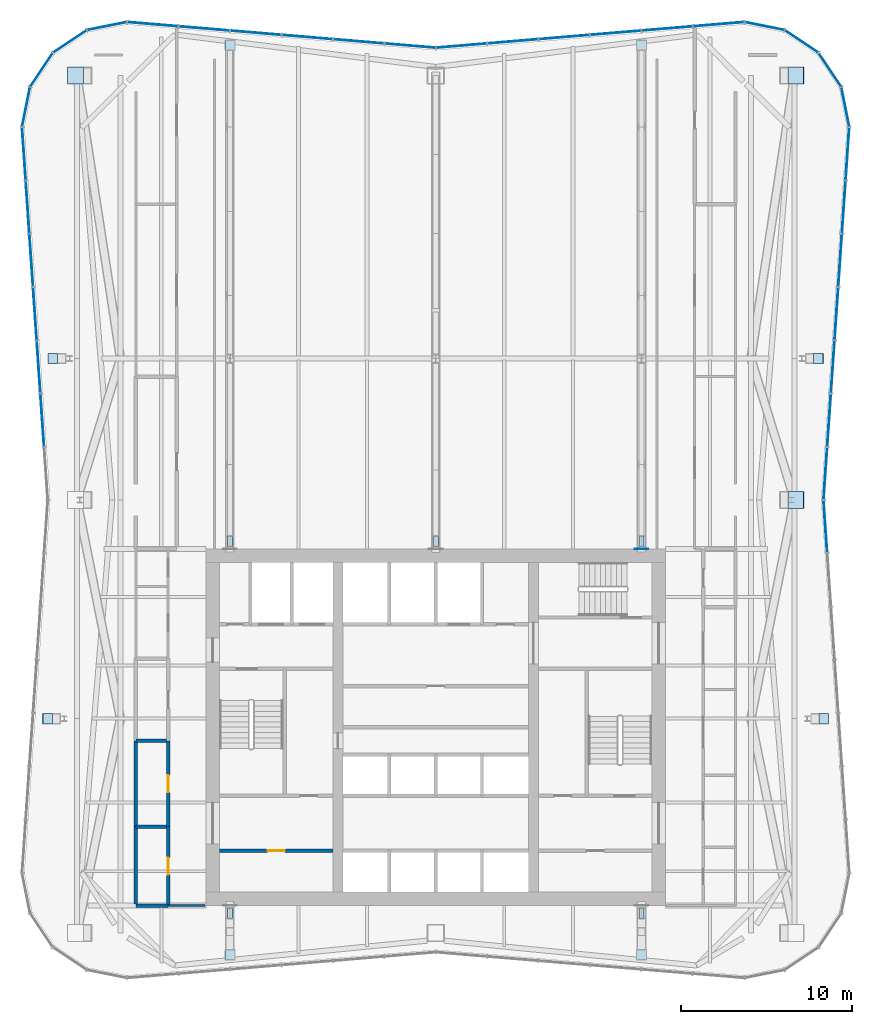
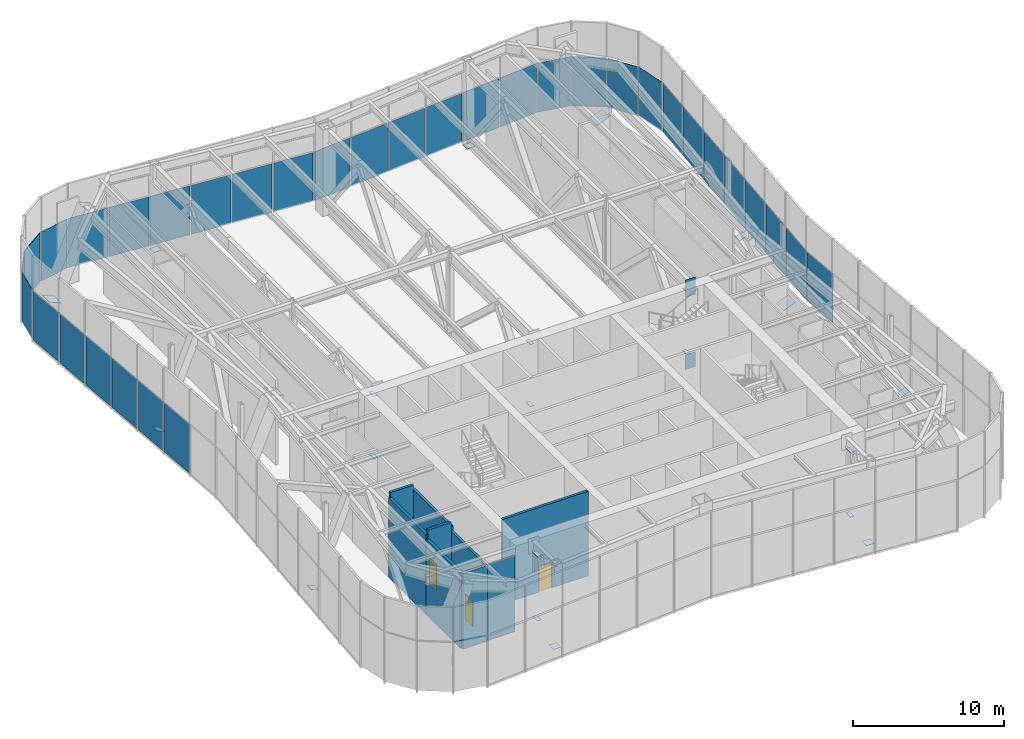
# One storey, part 11 of 17: 57 plates, 9 walls, 3 doors, 3 openings, 5 elements without a shape of their own.
"""IFC4 building model written with IfcOpenShell, lengths in metres."""

from ifc_helpers import new_model, si_unit, direction, frame, frame_2d, origin, origin_2d, place, context, subcontext, project, spatial, rectangle, extrude, material, layer, layer_set, type_object, element, fill, aggregate, save


model = new_model("IFC4")

# Units and contexts
model_context = context("Model", 3, precision=1e-05, world=origin(), true_north=direction((0.0, 1.0)))
body_context = subcontext(model_context, "Body", "Model", "MODEL_VIEW")
ifc_project = project(units=[si_unit("LENGTHUNIT", "METRE"), si_unit("AREAUNIT", "SQUARE_METRE"), si_unit("VOLUMEUNIT", "CUBIC_METRE"), si_unit("PLANEANGLEUNIT", "RADIAN"), si_unit("MASSUNIT", "GRAM", prefix="KILO")], contexts=[model_context])

# Site, building, storey
site_placement = place(None, origin())
site = spatial("IfcSite", under=ifc_project, at=site_placement, CompositionType="ELEMENT")
building_placement = place(site_placement, origin())
building = spatial("IfcBuilding", under=site, at=building_placement, Name="Verdant Reach Tower", CompositionType="ELEMENT")
storey_placement = place(building_placement, frame((0.0, 0.0, 282.0)))
storey = spatial("IfcBuildingStorey", under=building, at=storey_placement, Name="L65 Plant", CompositionType="ELEMENT", Elevation=282.0)

# Curtain wall, plates
ifc_material_1 = material(Name="Anodised aluminium", Category="aluminium")
curtain_wall_type = type_object("IfcCurtainWallType", Name="EN-CW SYSTEM PLANT", PredefinedType="NOTDEFINED", material=ifc_material_1)
curtain_wall_1_placement = place(storey_placement, origin())
curtain_wall_1 = element("IfcCurtainWall", 1, at=curtain_wall_1_placement, inside=storey, type_object=curtain_wall_type, Name="Curtain wall east, L65", PredefinedType="NOTDEFINED")
ifc_material_2 = material(Name="Bronze anodised aluminium solid panel", Category="aluminium")
ifc_layer_1 = layer(ifc_material_2, 0.0400390625)
ifc_layer_set_1 = layer_set([ifc_layer_1], Name="EN-PANEL SOLID")
plate_type_1 = type_object("IfcPlateType", Name="EN-PANEL SOLID", PredefinedType="CURTAIN_PANEL", material=ifc_layer_set_1)
plate_1_placement = place(storey_placement, frame((22.72607421875, 39.700439453125, -0.199951171875), z_axis=(0.0, 0.0, 1.0), x_axis=(-0.068892655483, 0.997624078509, 0.0)))
plate_1 = element("IfcPlate", 2, at=plate_1_placement, type_object=plate_type_1, Name="Solid panel east face part 1 7.1, L65", PredefinedType="CURTAIN_PANEL", context=body_context, shape_type="SweptSolid", body=[
    extrude(rectangle(XDim=3.0302734375, YDim=0.0400390625, at=origin_2d()), origin(), (0.0, 0.0, 1.0), 3.97509765625),
])
plate_2_placement = place(storey_placement, frame((22.72607421875, 42.799560546875, -0.199951171875), z_axis=(0.0, 0.0, 1.0), x_axis=(0.068892655483, 0.997624078509, 0.0)))
plate_2 = element("IfcPlate", 3, at=plate_2_placement, type_object=plate_type_1, Name="Solid panel east face part 2 1.1, L65", PredefinedType="CURTAIN_PANEL", context=body_context, shape_type="SweptSolid", body=[
    extrude(rectangle(XDim=3.0302734375, YDim=0.0400390625, at=origin_2d()), origin(), (0.0, 0.0, 1.0), 3.97509765625),
])
plate_3_placement = place(storey_placement, frame((22.940185546875, 45.902587890625, -0.199951171875), z_axis=(0.0, 0.0, 1.0), x_axis=(0.068802091615, 0.997630328423, 0.0)))
plate_3 = element("IfcPlate", 4, at=plate_3_placement, type_object=plate_type_1, Name="Solid panel east face part 2 2.1, L65", PredefinedType="CURTAIN_PANEL", context=body_context, shape_type="SweptSolid", body=[
    extrude(rectangle(XDim=3.03857421875, YDim=0.0400390625, at=origin_2d()), origin(), (0.0, 0.0, 1.0), 3.97509765625),
])
plate_4_placement = place(storey_placement, frame((23.154541015625, 49.009765625, -0.199951171875), z_axis=(0.0, 0.0, 1.0), x_axis=(0.068802091615, 0.997630328423, 0.0)))
plate_4 = element("IfcPlate", 5, at=plate_4_placement, type_object=plate_type_1, Name="Solid panel east face part 2 3.1, L65", PredefinedType="CURTAIN_PANEL", context=body_context, shape_type="SweptSolid", body=[
    extrude(rectangle(XDim=3.03857421875, YDim=0.0400390625, at=origin_2d()), origin(), (0.0, 0.0, 1.0), 3.97509765625),
])
plate_5_placement = place(storey_placement, frame((23.36865234375, 52.11669921875, -0.199951171875), z_axis=(0.0, 0.0, 1.0), x_axis=(0.068802091615, 0.997630328423, 0.0)))
plate_5 = element("IfcPlate", 6, at=plate_5_placement, type_object=plate_type_1, Name="Solid panel east face part 2 4.1, L65", PredefinedType="CURTAIN_PANEL", context=body_context, shape_type="SweptSolid", body=[
    extrude(rectangle(XDim=3.03857421875, YDim=0.0400390625, at=origin_2d()), origin(), (0.0, 0.0, 1.0), 3.97509765625),
])
plate_6_placement = place(storey_placement, frame((23.5830078125, 55.223876953125, -0.199951171875), z_axis=(0.0, 0.0, 1.0), x_axis=(0.068802091615, 0.997630328423, 0.0)))
plate_6 = element("IfcPlate", 7, at=plate_6_placement, type_object=plate_type_1, Name="Solid panel east face part 2 5.1, L65", PredefinedType="CURTAIN_PANEL", context=body_context, shape_type="SweptSolid", body=[
    extrude(rectangle(XDim=3.03857421875, YDim=0.0400390625, at=origin_2d()), origin(), (0.0, 0.0, 1.0), 3.97509765625),
])
plate_7_placement = place(storey_placement, frame((23.79736328125, 58.3310546875, -0.199951171875), z_axis=(0.0, 0.0, 1.0), x_axis=(0.068802091615, 0.997630328423, 0.0)))
plate_7 = element("IfcPlate", 8, at=plate_7_placement, type_object=plate_type_1, Name="Solid panel east face part 2 6.1, L65", PredefinedType="CURTAIN_PANEL", context=body_context, shape_type="SweptSolid", body=[
    extrude(rectangle(XDim=3.03857421875, YDim=0.0400390625, at=origin_2d()), origin(), (0.0, 0.0, 1.0), 3.97509765625),
])
plate_8_placement = place(storey_placement, frame((24.011474609375, 61.446044921875, -0.199951171875), z_axis=(0.0, 0.0, 1.0), x_axis=(0.068469163133, 0.997653233193, 0.0)))
plate_8 = element("IfcPlate", 9, at=plate_8_placement, type_object=plate_type_1, Name="Solid panel east face part 2 7.1, L65", PredefinedType="CURTAIN_PANEL", context=body_context, shape_type="SweptSolid", body=[
    extrude(rectangle(XDim=3.05419921875, YDim=0.0400390625, at=origin_2d()), origin(), (0.0, 0.0, 1.0), 3.97509765625),
])
aggregate(curtain_wall_1, [plate_1, plate_2, plate_3, plate_4, plate_5, plate_6, plate_7, plate_8])

curtain_wall_2_placement = place(storey_placement, origin())
curtain_wall_2 = element("IfcCurtainWall", 10, at=curtain_wall_2_placement, inside=storey, type_object=curtain_wall_type, Name="Curtain wall north-east corner, L65", PredefinedType="NOTDEFINED")
plate_9_placement = place(storey_placement, frame((23.885986328125, 64.174560546875, -0.199951171875), z_axis=(0.0, 0.0, 1.0), x_axis=(-0.195592962334, 0.980685165119, 0.0)))
plate_9 = element("IfcPlate", 11, at=plate_9_placement, type_object=plate_type_1, Name="Solid panel north-east corner 1.1, L65", PredefinedType="CURTAIN_PANEL", context=body_context, shape_type="SweptSolid", body=[
    extrude(rectangle(XDim=2.303955078125, YDim=0.0400390625, at=origin_2d()), origin(), (0.0, 0.0, 1.0), 3.97509765625),
])
plate_10_placement = place(storey_placement, frame((22.989990234375, 66.334228515625, -0.199951171875), z_axis=(0.0, 0.0, 1.0), x_axis=(-0.555596466265, 0.83145208321, 0.0)))
plate_10 = element("IfcPlate", 12, at=plate_10_placement, type_object=plate_type_1, Name="Solid panel north-east corner 2.1, L65", PredefinedType="CURTAIN_PANEL", context=body_context, shape_type="SweptSolid", body=[
    extrude(rectangle(XDim=2.3115234375, YDim=0.0400390625, at=origin_2d()), origin(), (0.0, 0.0, 1.0), 3.97509765625),
])
plate_11_placement = place(storey_placement, frame((21.334228515625, 67.989990234375, -0.199951171875), z_axis=(0.0, 0.0, 1.0), x_axis=(-0.83145208321, 0.555596466265, 0.0)))
plate_11 = element("IfcPlate", 13, at=plate_11_placement, type_object=plate_type_1, Name="Solid panel north-east corner 3.1, L65", PredefinedType="CURTAIN_PANEL", context=body_context, shape_type="SweptSolid", body=[
    extrude(rectangle(XDim=2.3115234375, YDim=0.0400390625, at=origin_2d()), origin(), (0.0, 0.0, 1.0), 3.97509765625),
])
plate_12_placement = place(storey_placement, frame((19.174072265625, 68.885986328125, -0.199951171875), z_axis=(0.0, 0.0, 1.0), x_axis=(-0.980694678629, 0.195545256419, 0.0)))
plate_12 = element("IfcPlate", 14, at=plate_12_placement, type_object=plate_type_1, Name="Solid panel north-east corner 4.1, L65", PredefinedType="CURTAIN_PANEL", context=body_context, shape_type="SweptSolid", body=[
    extrude(rectangle(XDim=2.304931640625, YDim=0.0400390625, at=origin_2d()), origin(), (0.0, 0.0, 1.0), 3.97509765625),
])
aggregate(curtain_wall_2, [plate_9, plate_10, plate_11, plate_12])

curtain_wall_3_placement = place(storey_placement, origin())
curtain_wall_3 = element("IfcCurtainWall", 15, at=curtain_wall_3_placement, inside=storey, type_object=curtain_wall_type, Name="Curtain wall north, L65", PredefinedType="NOTDEFINED")
plate_13_placement = place(storey_placement, frame((16.49853515625, 68.99365234375, -0.199951171875), z_axis=(0.0, 0.0, 1.0), x_axis=(-0.996577509664, -0.082663578629, 0.0)))
plate_13 = element("IfcPlate", 16, at=plate_13_placement, type_object=plate_type_1, Name="Solid panel north face part 1 1.1, L65", PredefinedType="CURTAIN_PANEL", context=body_context, shape_type="SweptSolid", body=[
    extrude(rectangle(XDim=2.950927734375, YDim=0.0400390625, at=origin_2d()), origin(), (0.0, 0.0, 1.0), 3.97509765625),
])
plate_14_placement = place(storey_placement, frame((13.490234375, 68.74365234375, -0.199951171875), z_axis=(0.0, 0.0, 1.0), x_axis=(-0.996545758244, -0.083045479859, 0.0)))
plate_14 = element("IfcPlate", 17, at=plate_14_placement, type_object=plate_type_1, Name="Solid panel north face part 1 2.1, L65", PredefinedType="CURTAIN_PANEL", context=body_context, shape_type="SweptSolid", body=[
    extrude(rectangle(XDim=2.934326171875, YDim=0.0400390625, at=origin_2d()), origin(), (0.0, 0.0, 1.0), 3.97509765625),
])
plate_15_placement = place(storey_placement, frame((10.490234375, 68.49365234375, -0.199951171875), z_axis=(0.0, 0.0, 1.0), x_axis=(-0.996545758244, -0.083045479859, 0.0)))
plate_15 = element("IfcPlate", 18, at=plate_15_placement, type_object=plate_type_1, Name="Solid panel north face part 1 3.1, L65", PredefinedType="CURTAIN_PANEL", context=body_context, shape_type="SweptSolid", body=[
    extrude(rectangle(XDim=2.934326171875, YDim=0.0400390625, at=origin_2d()), origin(), (0.0, 0.0, 1.0), 3.97509765625),
])
plate_16_placement = place(storey_placement, frame((7.490234375, 68.24365234375, -0.199951171875), z_axis=(0.0, 0.0, 1.0), x_axis=(-0.996545758244, -0.083045479859, 0.0)))
plate_16 = element("IfcPlate", 19, at=plate_16_placement, type_object=plate_type_1, Name="Solid panel north face part 1 4.1, L65", PredefinedType="CURTAIN_PANEL", context=body_context, shape_type="SweptSolid", body=[
    extrude(rectangle(XDim=2.934326171875, YDim=0.0400390625, at=origin_2d()), origin(), (0.0, 0.0, 1.0), 3.97509765625),
])
plate_17_placement = place(storey_placement, frame((4.490234375, 67.99365234375, -0.199951171875), z_axis=(0.0, 0.0, 1.0), x_axis=(-0.996545758244, -0.083045479859, 0.0)))
plate_17 = element("IfcPlate", 20, at=plate_17_placement, type_object=plate_type_1, Name="Solid panel north face part 1 5.1, L65", PredefinedType="CURTAIN_PANEL", context=body_context, shape_type="SweptSolid", body=[
    extrude(rectangle(XDim=2.934326171875, YDim=0.0400390625, at=origin_2d()), origin(), (0.0, 0.0, 1.0), 3.97509765625),
])
plate_18_placement = place(storey_placement, frame((1.4951171875, 67.743896484375, -0.199951171875), z_axis=(0.0, 0.0, 1.0), x_axis=(-0.996534372104, -0.083182000546, 0.0)))
plate_18 = element("IfcPlate", 21, at=plate_18_placement, type_object=plate_type_1, Name="Solid panel north face part 1 6.1, L65", PredefinedType="CURTAIN_PANEL", context=body_context, shape_type="SweptSolid", body=[
    extrude(rectangle(XDim=2.924560546875, YDim=0.0400390625, at=origin_2d()), origin(), (0.0, 0.0, 1.0), 3.97509765625),
])
plate_19_placement = place(storey_placement, frame((-1.4951171875, 67.743896484375, -0.199951171875), z_axis=(0.0, 0.0, 1.0), x_axis=(-0.996534372104, 0.083182000546, 0.0)))
plate_19 = element("IfcPlate", 22, at=plate_19_placement, type_object=plate_type_1, Name="Solid panel north face part 2 1.1, L65", PredefinedType="CURTAIN_PANEL", context=body_context, shape_type="SweptSolid", body=[
    extrude(rectangle(XDim=2.924560546875, YDim=0.0400390625, at=origin_2d()), origin(), (0.0, 0.0, 1.0), 3.97509765625),
])
plate_20_placement = place(storey_placement, frame((-4.490234375, 67.99365234375, -0.199951171875), z_axis=(0.0, 0.0, 1.0), x_axis=(-0.996545758244, 0.083045479859, 0.0)))
plate_20 = element("IfcPlate", 23, at=plate_20_placement, type_object=plate_type_1, Name="Solid panel north face part 2 2.1, L65", PredefinedType="CURTAIN_PANEL", context=body_context, shape_type="SweptSolid", body=[
    extrude(rectangle(XDim=2.934326171875, YDim=0.0400390625, at=origin_2d()), origin(), (0.0, 0.0, 1.0), 3.97509765625),
])
plate_21_placement = place(storey_placement, frame((-7.490234375, 68.24365234375, -0.199951171875), z_axis=(0.0, 0.0, 1.0), x_axis=(-0.996545758244, 0.083045479859, 0.0)))
plate_21 = element("IfcPlate", 24, at=plate_21_placement, type_object=plate_type_1, Name="Solid panel north face part 2 3.1, L65", PredefinedType="CURTAIN_PANEL", context=body_context, shape_type="SweptSolid", body=[
    extrude(rectangle(XDim=2.934326171875, YDim=0.0400390625, at=origin_2d()), origin(), (0.0, 0.0, 1.0), 3.97509765625),
])
plate_22_placement = place(storey_placement, frame((-10.490234375, 68.49365234375, -0.199951171875), z_axis=(0.0, 0.0, 1.0), x_axis=(-0.996545758244, 0.083045479859, 0.0)))
plate_22 = element("IfcPlate", 25, at=plate_22_placement, type_object=plate_type_1, Name="Solid panel north face part 2 4.1, L65", PredefinedType="CURTAIN_PANEL", context=body_context, shape_type="SweptSolid", body=[
    extrude(rectangle(XDim=2.934326171875, YDim=0.0400390625, at=origin_2d()), origin(), (0.0, 0.0, 1.0), 3.97509765625),
])
plate_23_placement = place(storey_placement, frame((-13.490234375, 68.74365234375, -0.199951171875), z_axis=(0.0, 0.0, 1.0), x_axis=(-0.996545758244, 0.083045479859, 0.0)))
plate_23 = element("IfcPlate", 26, at=plate_23_placement, type_object=plate_type_1, Name="Solid panel north face part 2 5.1, L65", PredefinedType="CURTAIN_PANEL", context=body_context, shape_type="SweptSolid", body=[
    extrude(rectangle(XDim=2.934326171875, YDim=0.0400390625, at=origin_2d()), origin(), (0.0, 0.0, 1.0), 3.97509765625),
])
plate_24_placement = place(storey_placement, frame((-16.49853515625, 68.99365234375, -0.199951171875), z_axis=(0.0, 0.0, 1.0), x_axis=(-0.996577509664, 0.082663578629, 0.0)))
plate_24 = element("IfcPlate", 27, at=plate_24_placement, type_object=plate_type_1, Name="Solid panel north face part 2 6.1, L65", PredefinedType="CURTAIN_PANEL", context=body_context, shape_type="SweptSolid", body=[
    extrude(rectangle(XDim=2.950927734375, YDim=0.0400390625, at=origin_2d()), origin(), (0.0, 0.0, 1.0), 3.97509765625),
])
aggregate(curtain_wall_3, [plate_13, plate_14, plate_15, plate_16, plate_17, plate_18, plate_19, plate_20, plate_21, plate_22, plate_23, plate_24])

curtain_wall_4_placement = place(storey_placement, origin())
curtain_wall_4 = element("IfcCurtainWall", 28, at=curtain_wall_4_placement, inside=storey, type_object=curtain_wall_type, Name="Curtain wall north-west corner, L65", PredefinedType="NOTDEFINED")
plate_25_placement = place(storey_placement, frame((-19.174072265625, 68.885986328125, -0.199951171875), z_axis=(0.0, 0.0, 1.0), x_axis=(-0.980694678629, -0.195545256419, 0.0)))
plate_25 = element("IfcPlate", 29, at=plate_25_placement, type_object=plate_type_1, Name="Solid panel north-west corner 1.1, L65", PredefinedType="CURTAIN_PANEL", context=body_context, shape_type="SweptSolid", body=[
    extrude(rectangle(XDim=2.304931640625, YDim=0.0400390625, at=origin_2d()), origin(), (0.0, 0.0, 1.0), 3.97509765625),
])
plate_26_placement = place(storey_placement, frame((-21.334228515625, 67.989990234375, -0.199951171875), z_axis=(0.0, 0.0, 1.0), x_axis=(-0.83145208321, -0.555596466265, 0.0)))
plate_26 = element("IfcPlate", 30, at=plate_26_placement, type_object=plate_type_1, Name="Solid panel north-west corner 2.1, L65", PredefinedType="CURTAIN_PANEL", context=body_context, shape_type="SweptSolid", body=[
    extrude(rectangle(XDim=2.3115234375, YDim=0.0400390625, at=origin_2d()), origin(), (0.0, 0.0, 1.0), 3.97509765625),
])
plate_27_placement = place(storey_placement, frame((-22.989990234375, 66.334228515625, -0.199951171875), z_axis=(0.0, 0.0, 1.0), x_axis=(-0.555596466265, -0.83145208321, 0.0)))
plate_27 = element("IfcPlate", 31, at=plate_27_placement, type_object=plate_type_1, Name="Solid panel north-west corner 3.1, L65", PredefinedType="CURTAIN_PANEL", context=body_context, shape_type="SweptSolid", body=[
    extrude(rectangle(XDim=2.3115234375, YDim=0.0400390625, at=origin_2d()), origin(), (0.0, 0.0, 1.0), 3.97509765625),
])
plate_28_placement = place(storey_placement, frame((-23.885986328125, 64.174560546875, -0.199951171875), z_axis=(0.0, 0.0, 1.0), x_axis=(-0.195592962334, -0.980685165119, 0.0)))
plate_28 = element("IfcPlate", 32, at=plate_28_placement, type_object=plate_type_1, Name="Solid panel north-west corner 4.1, L65", PredefinedType="CURTAIN_PANEL", context=body_context, shape_type="SweptSolid", body=[
    extrude(rectangle(XDim=2.303955078125, YDim=0.0400390625, at=origin_2d()), origin(), (0.0, 0.0, 1.0), 3.97509765625),
])
aggregate(curtain_wall_4, [plate_25, plate_26, plate_27, plate_28])

curtain_wall_5_placement = place(storey_placement, origin())
curtain_wall_5 = element("IfcCurtainWall", 33, at=curtain_wall_5_placement, inside=storey, type_object=curtain_wall_type, Name="Curtain wall west, L65", PredefinedType="NOTDEFINED")
plate_29_placement = place(storey_placement, frame((-24.011474609375, 61.446044921875, -0.199951171875), z_axis=(0.0, 0.0, 1.0), x_axis=(0.068469163133, -0.997653233193, 0.0)))
plate_29 = element("IfcPlate", 34, at=plate_29_placement, type_object=plate_type_1, Name="Solid panel west face part 1 1.1, L65", PredefinedType="CURTAIN_PANEL", context=body_context, shape_type="SweptSolid", body=[
    extrude(rectangle(XDim=3.05419921875, YDim=0.0400390625, at=origin_2d()), origin(), (0.0, 0.0, 1.0), 3.97509765625),
])
plate_30_placement = place(storey_placement, frame((-23.79736328125, 58.3310546875, -0.199951171875), z_axis=(0.0, 0.0, 1.0), x_axis=(0.068802091615, -0.997630328423, 0.0)))
plate_30 = element("IfcPlate", 35, at=plate_30_placement, type_object=plate_type_1, Name="Solid panel west face part 1 2.1, L65", PredefinedType="CURTAIN_PANEL", context=body_context, shape_type="SweptSolid", body=[
    extrude(rectangle(XDim=3.03857421875, YDim=0.0400390625, at=origin_2d()), origin(), (0.0, 0.0, 1.0), 3.97509765625),
])
plate_31_placement = place(storey_placement, frame((-23.5830078125, 55.223876953125, -0.199951171875), z_axis=(0.0, 0.0, 1.0), x_axis=(0.068802091615, -0.997630328423, 0.0)))
plate_31 = element("IfcPlate", 36, at=plate_31_placement, type_object=plate_type_1, Name="Solid panel west face part 1 3.1, L65", PredefinedType="CURTAIN_PANEL", context=body_context, shape_type="SweptSolid", body=[
    extrude(rectangle(XDim=3.03857421875, YDim=0.0400390625, at=origin_2d()), origin(), (0.0, 0.0, 1.0), 3.97509765625),
])
plate_32_placement = place(storey_placement, frame((-23.36865234375, 52.11669921875, -0.199951171875), z_axis=(0.0, 0.0, 1.0), x_axis=(0.068802091615, -0.997630328423, 0.0)))
plate_32 = element("IfcPlate", 37, at=plate_32_placement, type_object=plate_type_1, Name="Solid panel west face part 1 4.1, L65", PredefinedType="CURTAIN_PANEL", context=body_context, shape_type="SweptSolid", body=[
    extrude(rectangle(XDim=3.03857421875, YDim=0.0400390625, at=origin_2d()), origin(), (0.0, 0.0, 1.0), 3.97509765625),
])
plate_33_placement = place(storey_placement, frame((-23.154541015625, 49.009765625, -0.199951171875), z_axis=(0.0, 0.0, 1.0), x_axis=(0.068802091615, -0.997630328423, 0.0)))
plate_33 = element("IfcPlate", 38, at=plate_33_placement, type_object=plate_type_1, Name="Solid panel west face part 1 5.1, L65", PredefinedType="CURTAIN_PANEL", context=body_context, shape_type="SweptSolid", body=[
    extrude(rectangle(XDim=3.03857421875, YDim=0.0400390625, at=origin_2d()), origin(), (0.0, 0.0, 1.0), 3.97509765625),
])
plate_34_placement = place(storey_placement, frame((-22.940185546875, 45.902587890625, -0.199951171875), z_axis=(0.0, 0.0, 1.0), x_axis=(0.068802091615, -0.997630328423, 0.0)))
plate_34 = element("IfcPlate", 39, at=plate_34_placement, type_object=plate_type_1, Name="Solid panel west face part 1 6.1, L65", PredefinedType="CURTAIN_PANEL", context=body_context, shape_type="SweptSolid", body=[
    extrude(rectangle(XDim=3.03857421875, YDim=0.0400390625, at=origin_2d()), origin(), (0.0, 0.0, 1.0), 3.97509765625),
])
aggregate(curtain_wall_5, [plate_29, plate_30, plate_31, plate_32, plate_33, plate_34])

# Plates
ifc_material_3 = material(Name="Steel S460", Category="steel")
ifc_layer_2 = layer(ifc_material_3, 0.030029296875)
ifc_layer_set_2 = layer_set([ifc_layer_2], Name="ST-PLATE-CASTIN30")
plate_type_2 = type_object("IfcPlateType", Name="ST-PLATE-CASTIN30", PredefinedType="SHEET", material=ifc_layer_set_2)
plate_35_placement = place(storey_placement, frame((12.0, 38.385009765625, -0.19287109375), z_axis=(0.0, 0.0, 1.0), x_axis=(1.0, 0.0, 0.0)))
element("IfcPlate", 40, at=plate_35_placement, inside=storey, type_object=plate_type_2, Name="CAST-IN PLATE, belt truss E north bottom chord, L65 Plant", PredefinedType="SHEET", context=body_context, shape_type="SweptSolid", body=[
    extrude(rectangle(XDim=0.800048828125, YDim=0.030029296875, at=origin_2d()), origin(), (0.0, 0.0, 1.0), 1.199951171875),
])
plate_36_placement = place(storey_placement, frame((12.0, 38.385009765625, 5.662109375), z_axis=(0.0, 0.0, 1.0), x_axis=(1.0, 0.0, 0.0)))
element("IfcPlate", 41, at=plate_36_placement, inside=storey, type_object=plate_type_2, Name="CAST-IN PLATE, belt truss E north top chord, L65 Plant", PredefinedType="SHEET", context=body_context, shape_type="SweptSolid", body=[
    extrude(rectangle(XDim=0.800048828125, YDim=0.030029296875, at=origin_2d()), origin(), (0.0, 0.0, 1.0), 1.407958984375),
])
ifc_layer_3 = layer(ifc_material_3, 0.02001953125)
ifc_layer_set_3 = layer_set([ifc_layer_3], Name="ST-PLATE-END20")
plate_type_3 = type_object("IfcPlateType", Name="ST-PLATE-END20", PredefinedType="SHEET", material=ifc_layer_set_3)
for number, where, z_axis, x_axis, name in (
    (42, (-21.0078125, 66.0, 0.204345703125), (0.392438685048, 0.0, 0.919778168081), (0.0, 1.0, 0.0), "Cap plate, mega column north-west, L65 Plant"),
    (43, (21.0078125, 66.0, 0.204345703125), (-0.392438685048, 0.0, 0.919778168081), (0.0, -1.0, 0.0), "Cap plate, mega column north-east, L65 Plant"),
    (44, (21.0078125, 41.25, 0.204345703125), (-0.392438685048, 0.0, 0.919778168081), (0.0, -1.0, 0.0), "Cap plate, mega column east, L65 Plant"),
):
    element("IfcPlate", number, at=place(storey_placement, frame(where, z_axis=z_axis, x_axis=x_axis)), inside=storey, type_object=plate_type_3, Name=name, PredefinedType="SHEET", context=body_context, shape_type="SweptSolid", body=[
        extrude(rectangle(XDim=1.0, YDim=1.0, at=origin_2d()), origin(), (0.0, 0.0, 1.0), 0.02001953125),
    ])
for number, where, z_axis, x_axis, name in (
    (45, (-12.0, 67.74951171875, 0.0087890625), (0.0, 0.024382992455, 0.999702690643), (-1.0, 0.0, 0.0), "Cap plate, perimeter column north 1, L65 Plant"),
    (46, (12.0, 67.74951171875, 0.0087890625), (0.0, 0.024382992455, 0.999702690643), (-1.0, 0.0, 0.0), "Cap plate, perimeter column north 2, L65 Plant"),
    (47, (-12.0, 14.75048828125, 0.0087890625), (0.0, -0.024382992455, 0.999702690643), (1.0, 0.0, 0.0), "Cap plate, perimeter column south 1, L65 Plant"),
    (48, (12.0, 14.75048828125, 0.0087890625), (0.0, -0.024382992455, 0.999702690643), (1.0, 0.0, 0.0), "Cap plate, perimeter column south 2, L65 Plant"),
    (49, (22.636962890625, 28.5, 0.123046875), (-0.377683854905, 0.0, 0.925934612024), (0.0, -1.0, 0.0), "Cap plate, perimeter column east 1, L65 Plant"),
    (50, (22.32666015625, 49.5, 0.123046875), (-0.377683854905, 0.0, 0.925934612024), (0.0, -1.0, 0.0), "Cap plate, perimeter column east 2, L65 Plant"),
    (51, (-22.636962890625, 28.5, 0.123046875), (0.377683854905, 0.0, 0.925934612024), (0.0, 1.0, 0.0), "Cap plate, perimeter column west 1, L65 Plant"),
    (52, (-22.32666015625, 49.5, 0.123046875), (0.377683854905, 0.0, 0.925934612024), (0.0, 1.0, 0.0), "Cap plate, perimeter column west 2, L65 Plant"),
):
    element("IfcPlate", number, at=place(storey_placement, frame(where, z_axis=z_axis, x_axis=x_axis)), inside=storey, type_object=plate_type_3, Name=name, PredefinedType="SHEET", context=body_context, shape_type="SweptSolid", body=[
        extrude(rectangle(XDim=0.60009765625, YDim=0.60009765625, at=origin_2d()), origin(), (0.0, 0.0, 1.0), 0.02001953125),
    ])
for number, where, z_axis, x_axis, name in (
    (53, (-12.0, 38.85009765625, 0.81396484375), (0.0, 0.0, 1.0), (1.0, 0.0, 0.0), "End plate, belt truss C north end post bottom, L65 Plant"),
    (54, (-12.0, 38.85009765625, 5.842041015625), (0.0, 0.0, 1.0), (1.0, 0.0, 0.0), "End plate, belt truss C north end post top, L65 Plant"),
    (55, (-12.0, 17.14990234375, 0.81396484375), (0.0, 0.0, 1.0), (1.0, 0.0, 0.0), "End plate, belt truss C south end post bottom, L65 Plant"),
    (56, (-12.0, 17.14990234375, 6.035888671875), (0.0, 0.0, 1.0), (1.0, 0.0, 0.0), "End plate, belt truss C south end post top, L65 Plant"),
    (57, (0.0, 38.85009765625, 0.81396484375), (0.0, 0.0, 1.0), (1.0, 0.0, 0.0), "End plate, belt truss D north end post bottom, L65 Plant"),
    (58, (0.0, 38.85009765625, 5.842041015625), (0.0, 0.0, 1.0), (1.0, 0.0, 0.0), "End plate, belt truss D north end post top, L65 Plant"),
    (59, (12.0, 38.85009765625, 0.81396484375), (0.0, 0.0, 1.0), (1.0, 0.0, 0.0), "End plate, belt truss E north end post bottom, L65 Plant"),
    (60, (12.0, 38.85009765625, 5.842041015625), (0.0, 0.0, 1.0), (1.0, 0.0, 0.0), "End plate, belt truss E north end post top, L65 Plant"),
    (61, (12.0, 17.14990234375, 0.81396484375), (0.0, 0.0, 1.0), (1.0, 0.0, 0.0), "End plate, belt truss E south end post bottom, L65 Plant"),
    (62, (12.0, 17.14990234375, 6.035888671875), (0.0, 0.0, 1.0), (1.0, 0.0, 0.0), "End plate, belt truss E south end post top, L65 Plant"),
):
    element("IfcPlate", number, at=place(storey_placement, frame(where, z_axis=z_axis, x_axis=x_axis)), inside=storey, type_object=plate_type_3, Name=name, PredefinedType="SHEET", context=body_context, shape_type="SweptSolid", body=[
        extrude(rectangle(XDim=0.304931640625, YDim=0.6201171875, at=origin_2d()), origin(), (0.0, 0.0, 1.0), 0.02001953125),
    ])

# Wall, opening, door
ifc_material_4 = material(Name="Gypsum board on steel studs", Category="steel")
ifc_layer_4 = layer(ifc_material_4, 0.199951171875)
ifc_layer_set_4 = layer_set([ifc_layer_4], Name="CO-WALL-ROOM")
wall_type_1 = type_object("IfcWallType", Name="CO-WALL-ROOM", PredefinedType="PARTITIONING", material=ifc_layer_set_4)
wall_1_placement = place(storey_placement, frame((-12.60009765625, 20.800048828125, 0.0), z_axis=(0.0, 0.0, 1.0), x_axis=(1.0, 0.0, 0.0)))
wall_1 = element("IfcWall", 63, at=wall_1_placement, inside=storey, type_object=wall_type_1, Name="Core partition, L65 Plant", PredefinedType="PARTITIONING", context=body_context, shape_type="SweptSolid", body=[
    extrude(rectangle(XDim=6.60009765625, YDim=0.199951171875, at=frame_2d((3.300048828125, 0.0))), origin(), (0.0, 0.0, 1.0), 6.8701171875),
])
opening_1_placement = place(wall_1_placement, frame((2.800048828125, 0.0, 0.0)))
opening_1 = element("IfcOpeningElement", 64, at=opening_1_placement, cuts=wall_1, Name="Opening CD", PredefinedType="OPENING", context=body_context, shape_type="SweptSolid", body=[
    extrude(rectangle(XDim=1.0, YDim=2.10009765625, at=frame_2d((0.5, 1.050048828125))), frame((0.0, 0.10986328125, 0.0), z_axis=(0.0, -1.0, 0.0), x_axis=(1.0, 0.0, 0.0)), (0.0, 0.0, 1.0), 0.219970703125),
])
ifc_material_5 = material(Name="Timber", Category="wood")
door_type_1 = type_object("IfcDoorType", Name="CO-DOOR-ROOM", OperationType="NOTDEFINED", PredefinedType="DOOR", material=ifc_material_5)
door_1_placement = place(opening_1_placement, origin())
door_1 = element("IfcDoor", 65, at=door_1_placement, inside=storey, type_object=door_type_1, Name="Core room door, L65 Plant", OperationType="SINGLE_SWING_RIGHT", OverallHeight=2.10009765625, OverallWidth=1.0, PredefinedType="DOOR", context=body_context, shape_type="SweptSolid", body=[
    extrude(rectangle(XDim=1.0, YDim=2.10009765625, at=frame_2d((0.5, 1.050048828125))), frame((0.0, 0.02490234375, 0.0), z_axis=(0.0, -1.0, 0.0), x_axis=(1.0, 0.0, 0.0)), (0.0, 0.0, 1.0), 0.050048828125),
])
fill(opening_1, door_1)

# Wall
ifc_material_6 = material(Name="Gypsum board on steel studs, fire rated", Category="steel")
ifc_layer_5 = layer(ifc_material_6, 0.125)
ifc_layer_set_5 = layer_set([ifc_layer_5], Name="SV-W2 Plant wall 125 EI 60")
wall_type_2 = type_object("IfcWallType", Name="SV-W2 Plant wall 125 EI 60", PredefinedType="PARTITIONING", material=ifc_layer_set_5)
wall_2_placement = place(storey_placement, frame((-13.449951171875, 17.60009765625, 0.0), z_axis=(0.0, 0.0, 1.0), x_axis=(-1.0, 0.0, 0.0)))
element("IfcWall", 66, at=wall_2_placement, inside=storey, type_object=wall_type_2, Name="Partition L65.46", PredefinedType="PARTITIONING", context=body_context, shape_type="SweptSolid", body=[
    extrude(rectangle(XDim=2.14794921875, YDim=0.125, at=frame_2d((1.073974609375, 0.0))), origin(), (0.0, 0.0, 1.0), 6.139892578125),
])

# Wall, opening, door
ifc_material_7 = material(Name="Calcium silicate board on steel studs, fire rated", Category="steel")
ifc_layer_6 = layer(ifc_material_7, 0.199951171875)
ifc_layer_set_6 = layer_set([ifc_layer_6], Name="SV-W3 Fire wall 200 EI 120")
wall_type_3 = type_object("IfcWallType", Name="SV-W3 Fire wall 200 EI 120", PredefinedType="PARTITIONING", material=ifc_layer_set_6)
wall_3_placement = place(storey_placement, frame((-15.60009765625, 22.199951171875, 0.0), z_axis=(0.0, 0.0, 1.0), x_axis=(0.0, -1.0, 0.0)))
wall_3 = element("IfcWall", 67, at=wall_3_placement, inside=storey, type_object=wall_type_3, Name="Partition L65.17", PredefinedType="PARTITIONING", context=body_context, shape_type="SweptSolid", body=[
    extrude(rectangle(XDim=4.599853515625, YDim=0.199951171875, at=frame_2d((2.2998046875, 0.0))), origin(), (0.0, 0.0, 1.0), 6.139892578125),
])
opening_2_placement = place(wall_3_placement, frame((1.800048828125, 0.0, 0.0)))
opening_2 = element("IfcOpeningElement", 68, at=opening_2_placement, cuts=wall_3, Name="Opening SD4", PredefinedType="OPENING", context=body_context, shape_type="SweptSolid", body=[
    extrude(rectangle(XDim=1.0, YDim=2.10009765625, at=frame_2d((0.5, 1.050048828125))), frame((0.0, 0.10986328125, 0.0), z_axis=(0.0, -1.0, 0.0), x_axis=(1.0, 0.0, 0.0)), (0.0, 0.0, 1.0), 0.219970703125),
])
ifc_material_8 = material(Name="Steel door leaf, fire rated", Category="steel")
door_type_2 = type_object("IfcDoorType", Name="SV-D4 Door 1000x2100 FD120", OperationType="NOTDEFINED", PredefinedType="DOOR", material=ifc_material_8)
door_2_placement = place(opening_2_placement, origin())
door_2 = element("IfcDoor", 69, at=door_2_placement, inside=storey, type_object=door_type_2, Name="Door L65-009", OperationType="SINGLE_SWING_LEFT", OverallHeight=2.10009765625, OverallWidth=1.0, PredefinedType="DOOR", context=body_context, shape_type="SweptSolid", body=[
    extrude(rectangle(XDim=1.0, YDim=2.10009765625, at=frame_2d((0.5, 1.050048828125))), frame((0.0, 0.02490234375, 0.0), z_axis=(0.0, -1.0, 0.0), x_axis=(1.0, 0.0, 0.0)), (0.0, 0.0, 1.0), 0.050048828125),
])
fill(opening_2, door_2)

wall_4_placement = place(storey_placement, frame((-15.60009765625, 27.199951171875, 0.0), z_axis=(0.0, 0.0, 1.0), x_axis=(0.0, -1.0, 0.0)))
wall_4 = element("IfcWall", 70, at=wall_4_placement, inside=storey, type_object=wall_type_3, Name="Partition L65.18", PredefinedType="PARTITIONING", context=body_context, shape_type="SweptSolid", body=[
    extrude(rectangle(XDim=5.0, YDim=0.199951171875, at=frame_2d((2.5, 0.0))), origin(), (0.0, 0.0, 1.0), 6.47998046875),
])
opening_3_placement = place(wall_4_placement, frame((2.0, 0.0, 0.0)))
opening_3 = element("IfcOpeningElement", 71, at=opening_3_placement, cuts=wall_4, Name="Opening SD4", PredefinedType="OPENING", context=body_context, shape_type="SweptSolid", body=[
    extrude(rectangle(XDim=1.0, YDim=2.10009765625, at=frame_2d((0.5, 1.050048828125))), frame((0.0, 0.10986328125, 0.0), z_axis=(0.0, -1.0, 0.0), x_axis=(1.0, 0.0, 0.0)), (0.0, 0.0, 1.0), 0.219970703125),
])
door_3_placement = place(opening_3_placement, origin())
door_3 = element("IfcDoor", 72, at=door_3_placement, inside=storey, type_object=door_type_2, Name="Door L65-010", OperationType="SINGLE_SWING_RIGHT", OverallHeight=2.10009765625, OverallWidth=1.0, PredefinedType="DOOR", context=body_context, shape_type="SweptSolid", body=[
    extrude(rectangle(XDim=1.0, YDim=2.10009765625, at=frame_2d((0.5, 1.050048828125))), frame((0.0, 0.02490234375, 0.0), z_axis=(0.0, -1.0, 0.0), x_axis=(1.0, 0.0, 0.0)), (0.0, 0.0, 1.0), 0.050048828125),
])
fill(opening_3, door_3)

# Walls
for number, where, z_axis, x_axis, name in (
    (73, (-17.48193359375, 22.199951171875, 0.0), (0.0, 0.0, 1.0), (1.0, 0.0, 0.0), "Partition L65.26"),
    (74, (-17.48193359375, 27.199951171875, 0.0), (0.0, 0.0, 1.0), (1.0, 0.0, 0.0), "Partition L65.27"),
):
    element("IfcWall", number, at=place(storey_placement, frame(where, z_axis=z_axis, x_axis=x_axis)), inside=storey, type_object=wall_type_3, Name=name, PredefinedType="PARTITIONING", context=body_context, shape_type="SweptSolid", body=[
        extrude(rectangle(XDim=1.781982421875, YDim=0.199951171875, at=frame_2d((0.89111328125, 0.0))), origin(), (0.0, 0.0, 1.0), 6.8701171875),
    ])
wall_5_placement = place(storey_placement, frame((-15.60205078125, 17.60009765625, 0.0), z_axis=(0.0, 0.0, 1.0), x_axis=(-1.0, 0.0, 0.0)))
element("IfcWall", 75, at=wall_5_placement, inside=storey, type_object=wall_type_3, Name="Partition L65.48", PredefinedType="PARTITIONING", context=body_context, shape_type="SweptSolid", body=[
    extrude(rectangle(XDim=1.8798828125, YDim=0.199951171875, at=frame_2d((0.93994140625, 0.0))), origin(), (0.0, 0.0, 1.0), 6.139892578125),
])
wall_6_placement = place(storey_placement, frame((-17.48193359375, 17.699951171875, 0.0), z_axis=(0.0, 0.0, 1.0), x_axis=(0.0, 1.0, 0.0)))
element("IfcWall", 76, at=wall_6_placement, inside=storey, type_object=wall_type_3, Name="Partition L65.49", PredefinedType="PARTITIONING", context=body_context, shape_type="SweptSolid", body=[
    extrude(rectangle(XDim=4.498046875, YDim=0.199951171875, at=frame_2d((2.2490234375, 0.0))), origin(), (0.0, 0.0, 1.0), 6.139892578125),
])
wall_7_placement = place(storey_placement, frame((-17.48193359375, 22.201904296875, 0.0), z_axis=(0.0, 0.0, 1.0), x_axis=(0.0, 1.0, 0.0)))
element("IfcWall", 77, at=wall_7_placement, inside=storey, type_object=wall_type_3, Name="Partition L65.50", PredefinedType="PARTITIONING", context=body_context, shape_type="SweptSolid", body=[
    extrude(rectangle(XDim=4.99609375, YDim=0.199951171875, at=frame_2d((2.498046875, 0.0))), origin(), (0.0, 0.0, 1.0), 6.47998046875),
])

save(model, "model.ifc")
